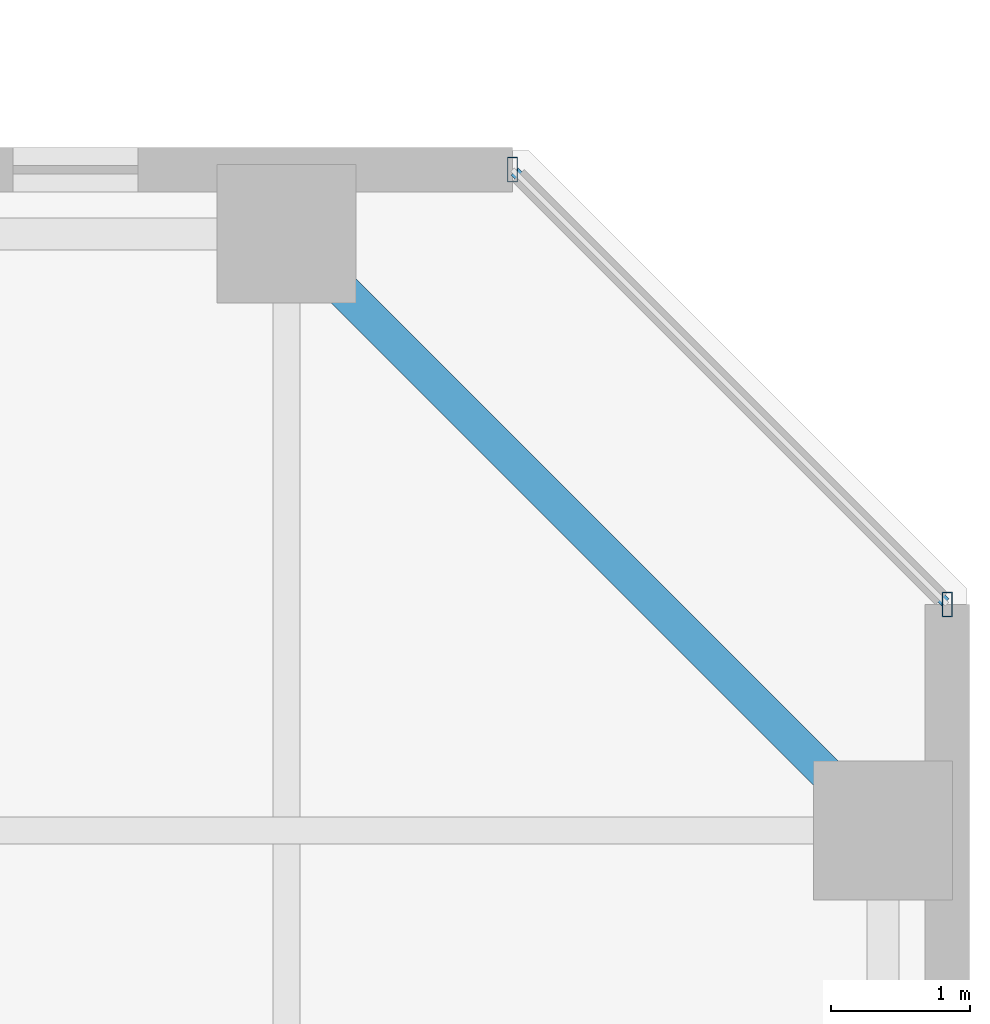
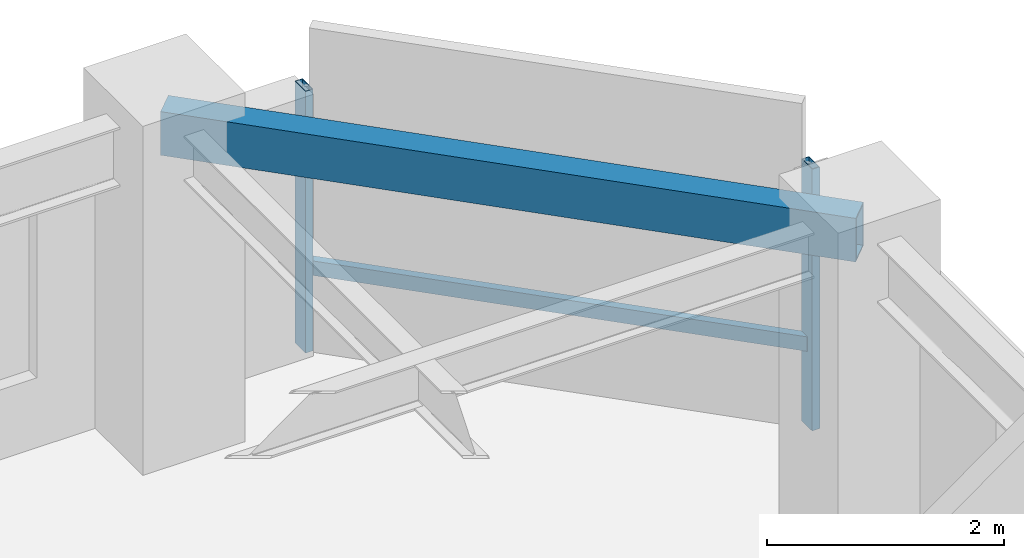
# One storey, part 17 of 33: 3 members, 1 beam, 1 element without a shape of its own.
"""IFC4 building model written with IfcOpenShell, lengths in metres."""

from ifc_helpers import new_model, si_unit, direction, frame, origin, origin_2d, place, context, subcontext, project, spatial, hollow_rectangle, extrude, material, material_profile, profile_set, type_object, element, aggregate, save


model = new_model("IFC4")

# Units and contexts
model_context = context("Model", 3, precision=1e-05, world=origin(), true_north=direction((0.0, 1.0)))
body_context = subcontext(model_context, "Body", "Model", "MODEL_VIEW")
ifc_project = project(units=[si_unit("LENGTHUNIT", "METRE"), si_unit("AREAUNIT", "SQUARE_METRE"), si_unit("VOLUMEUNIT", "CUBIC_METRE"), si_unit("PLANEANGLEUNIT", "RADIAN"), si_unit("MASSUNIT", "GRAM", prefix="KILO")], contexts=[model_context])

# Site, building, storey
site_placement = place(None, origin())
site = spatial("IfcSite", under=ifc_project, at=site_placement, CompositionType="ELEMENT")
building_placement = place(site_placement, origin())
building = spatial("IfcBuilding", under=site, at=building_placement, Name="Thornwick Lancets Civic Towers", CompositionType="ELEMENT")
storey_placement = place(building_placement, frame((0.0, 0.0, 214.5)))
storey = spatial("IfcBuildingStorey", under=building, at=storey_placement, Name="L57", CompositionType="ELEMENT", Elevation=214.5)

# Beam
ifc_material_1 = material(Name="Steel S355JR", Category="steel")
ifc_material_profile_1 = material_profile(ifc_material_1, hollow_rectangle(XDim=0.25, YDim=0.449951171875, WallThickness=0.01611328125, at=origin_2d()), Name="RHS 450x250x16")
ifc_profile_set_1 = profile_set([ifc_material_profile_1], Name="Steel S355JR")
beam_type = type_object("IfcBeamType", Name="BM_RING_RHS450", PredefinedType="BEAM", material=ifc_profile_set_1)
beam_placement = place(storey_placement, frame((105.800048828125, 40.0, 3.135009765625), z_axis=(-0.707106781187, 0.707106781187, 0.0), x_axis=(-0.707106781187, -0.707106781187, 0.0)))
element("IfcBeam", 1, at=beam_placement, inside=storey, type_object=beam_type, Name="BM-CHAMF-L57-B-C0", PredefinedType="BEAM", context=body_context, shape_type="SweptSolid", body=[
    extrude(hollow_rectangle(XDim=0.25, YDim=0.449951171875, WallThickness=0.01611328125, at=origin_2d()), origin(), (0.0, 0.0, 1.0), 6.081298828125),
])

# Curtain wall, members
ifc_material_2 = material(Name="High-zone chamfered-corner unitised glass curtain wall", Category="glass")
curtain_wall_type = type_object("IfcCurtainWallType", Name="CW_SYS_05", PredefinedType="NOTDEFINED", material=ifc_material_2)
curtain_wall_placement = place(storey_placement, origin())
curtain_wall = element("IfcCurtainWall", 2, at=curtain_wall_placement, inside=storey, type_object=curtain_wall_type, Name="L57 Curtain Wall CW-L57-B-E3", PredefinedType="NOTDEFINED")
ifc_material_3 = material(Name="Thermally broken bronze aluminium S355", Category="steel")
ifc_material_profile_2 = material_profile(ifc_material_3, hollow_rectangle(XDim=0.074951171875, YDim=0.179931640625, WallThickness=0.006103515625, at=origin_2d()), Name="RHS 180x75x6")
ifc_profile_set_2 = profile_set([ifc_material_profile_2], Name="Thermally broken bronze aluminium S355")
member_type_1 = type_object("IfcMemberType", Name="CW_MUL_180", PredefinedType="MULLION", material=ifc_profile_set_2)
member_1_placement = place(storey_placement, frame((106.2626953125, 41.62939453125, 0.0), z_axis=(0.0, 0.0, 1.0), x_axis=(1.0, 0.0, 0.0)))
member_1 = element("IfcMember", 3, at=member_1_placement, type_object=member_type_1, Name="CW-L57-B-E3 Mullion 0", PredefinedType="MULLION", context=body_context, shape_type="SweptSolid", body=[
    extrude(hollow_rectangle(XDim=0.074951171875, YDim=0.179931640625, WallThickness=0.006103515625, at=origin_2d()), origin(), (0.0, 0.0, 1.0), 2.699951171875),
])
member_2_placement = place(storey_placement, frame((103.12939453125, 44.7626953125, 0.0), z_axis=(0.0, 0.0, 1.0), x_axis=(1.0, 0.0, 0.0)))
member_2 = element("IfcMember", 4, at=member_2_placement, type_object=member_type_1, Name="CW-L57-B-E3 Mullion 1", PredefinedType="MULLION", context=body_context, shape_type="SweptSolid", body=[
    extrude(hollow_rectangle(XDim=0.074951171875, YDim=0.179931640625, WallThickness=0.006103515625, at=origin_2d()), origin(), (0.0, 0.0, 1.0), 2.699951171875),
])
ifc_material_profile_3 = material_profile(ifc_material_3, hollow_rectangle(XDim=0.074951171875, YDim=0.14990234375, WallThickness=0.0048828125, at=origin_2d()), Name="RHS 150x75x5")
ifc_profile_set_3 = profile_set([ifc_material_profile_3], Name="Thermally broken bronze aluminium S355")
member_type_2 = type_object("IfcMemberType", Name="CW_TRN_150", PredefinedType="USERDEFINED", material=ifc_profile_set_3)
member_3_placement = place(storey_placement, frame((106.248779296875, 41.6435546875, 0.85009765625), z_axis=(-0.707106781187, 0.707106781187, 0.0), x_axis=(-0.707106781187, -0.707106781187, 0.0)))
member_3 = element("IfcMember", 5, at=member_3_placement, type_object=member_type_2, Name="CW-L57-B-E3 Transom 0", ObjectType="TRANSOM", PredefinedType="USERDEFINED", context=body_context, shape_type="SweptSolid", body=[
    extrude(hollow_rectangle(XDim=0.074951171875, YDim=0.14990234375, WallThickness=0.0048828125, at=origin_2d()), origin(), (0.0, 0.0, 1.0), 4.391357421875),
])
aggregate(curtain_wall, [member_1, member_2, member_3])

save(model, "model.ifc")
